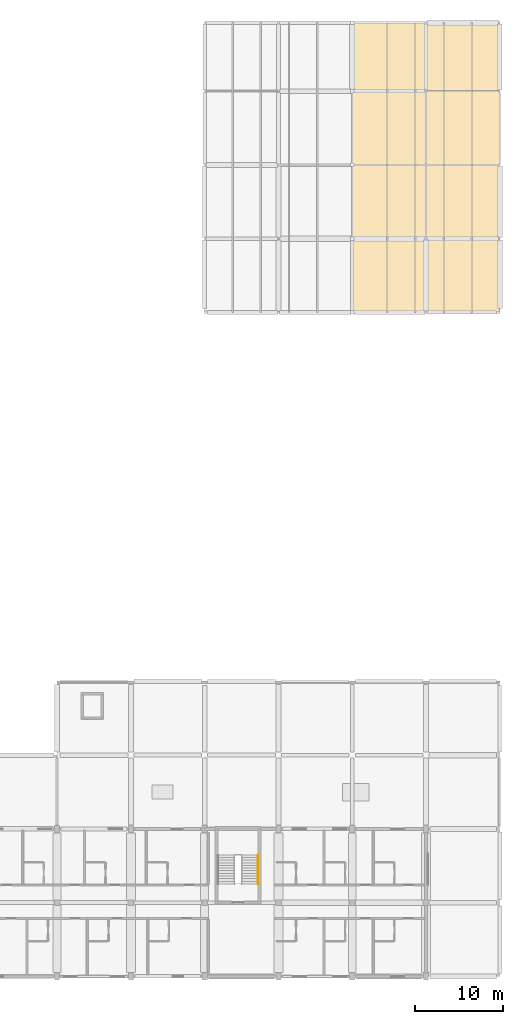
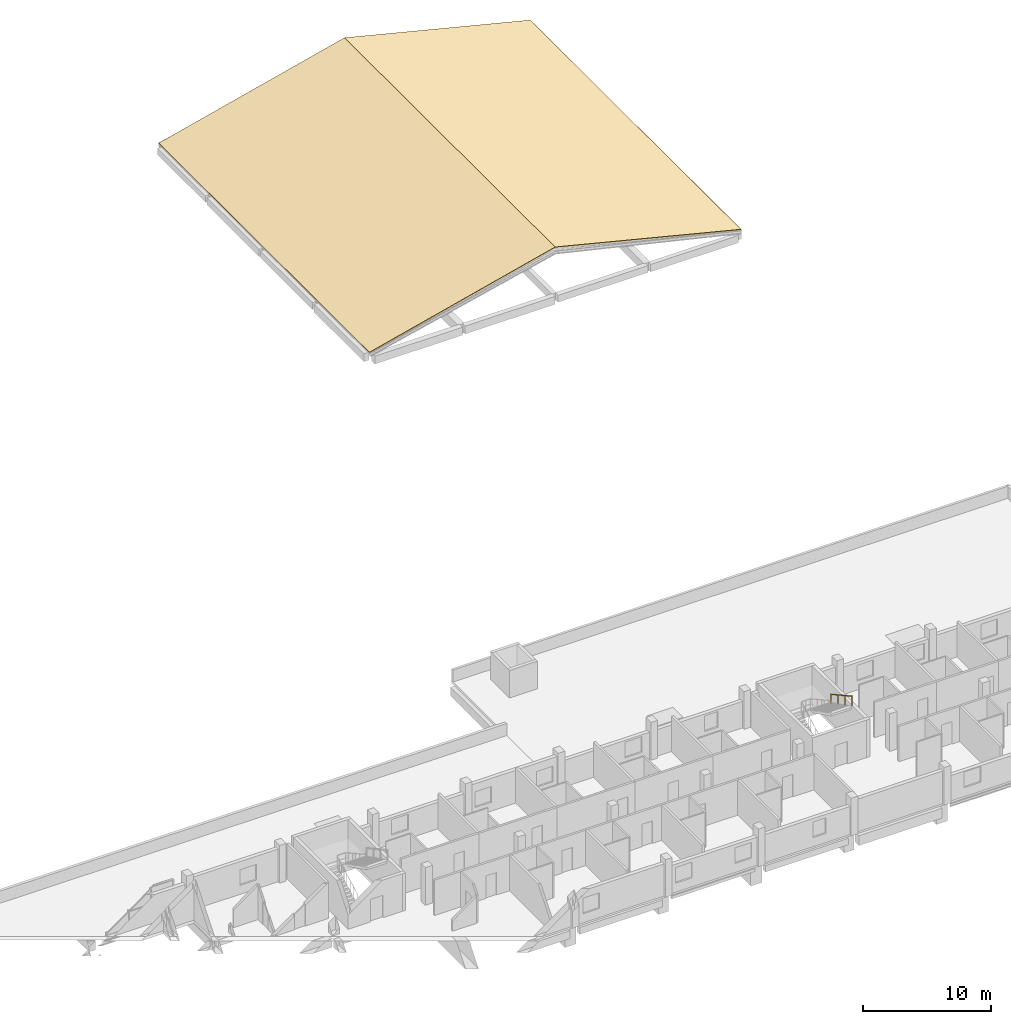
# One storey, part 42 of 42: 2 coverings, 1 railing.
"""IFC4 building model written with IfcOpenShell, lengths in metres."""

import ifcopenshell
import ifcopenshell.guid

model = None  # the IFC model being written
_history = None  # IfcOwnerHistory: only IFC2X3 demands one
_inside = {}  # id of a spatial element -> (the spatial element, [elements in it])
_under = {}  # id of a project, library or spatial element -> (it, [spatial elements below it])
_declared = {}  # id of a project -> (the project, [libraries it declares])
_typed = {}  # id of a type object -> (the type object, [elements of that type])
_made_of = {}  # id of a material, layer set ... -> (it, [elements and type objects made of it])


def new_model(schema):
    """Start an empty IFC model of exactly this schema.

    Asked for "IFC4X3", IfcOpenShell would pick the latest addendum, in which some entities
    have other attributes; the version numbers below select the first issue.
    IFC2X3 requires an IfcOwnerHistory on every rooted entity: one is made here for all.
    """
    global model, _history
    if schema == "IFC4X3":
        model = ifcopenshell.file(schema_version=(4, 3, 0, 0))
    else:
        model = ifcopenshell.file(schema=schema)
    _inside.clear()
    _under.clear()
    _declared.clear()
    _typed.clear()
    _made_of.clear()
    _history = None
    if model.schema == "IFC2X3":
        org = make("IfcOrganization", Name="unknown")
        user = make(
            "IfcPersonAndOrganization",
            ThePerson=make("IfcPerson", FamilyName="unknown"),
            TheOrganization=org,
        )
        app = make(
            "IfcApplication",
            ApplicationDeveloper=org,
            Version="unknown",
            ApplicationFullName="unknown",
            ApplicationIdentifier="unknown",
        )
        _history = make(
            "IfcOwnerHistory",
            OwningUser=user,
            OwningApplication=app,
            ChangeAction="ADDED",
            CreationDate=0,
        )
    return model


def make(cls, **values):
    """One entity of the class cls with the attributes given. An attribute that is None is left unset."""
    return model.create_entity(
        cls, **{name: value for name, value in values.items() if value is not None}
    )


def rooted(cls, **values):
    """An entity with a GlobalId (a new one), such as an element, a storey or a relation."""
    return make(cls, GlobalId=ifcopenshell.guid.new(), OwnerHistory=_history, **values)


def si_unit(unit_type, name, prefix=None):
    """IfcSIUnit, for example si_unit("LENGTHUNIT", "METRE", prefix="MILLI")."""
    return make("IfcSIUnit", UnitType=unit_type, Prefix=prefix, Name=name)


def derived_unit(unit_type, elements):
    """IfcDerivedUnit: a product of units, each with its exponent."""
    return make(
        "IfcDerivedUnit",
        Elements=[
            make("IfcDerivedUnitElement", Unit=unit, Exponent=power)
            for unit, power in elements
        ],
        UnitType=unit_type,
    )


def assignment(units):
    """IfcUnitAssignment: the units of a project."""
    return None if units is None else make("IfcUnitAssignment", Units=units)


def point(xyz):
    """IfcCartesianPoint."""
    return None if xyz is None else make("IfcCartesianPoint", Coordinates=xyz)


def direction(xyz):
    """IfcDirection."""
    return None if xyz is None else make("IfcDirection", DirectionRatios=xyz)


def frame(location, z_axis=None, x_axis=None):
    """IfcAxis2Placement3D, a coordinate frame: its origin and axes. An axis left out is left unset."""
    return make(
        "IfcAxis2Placement3D",
        Location=point(location),
        Axis=direction(z_axis),
        RefDirection=direction(x_axis),
    )


def frame_2d(location, x_axis=None):
    """IfcAxis2Placement2D, a coordinate frame in the plane: its origin and x axis."""
    return make(
        "IfcAxis2Placement2D", Location=point(location), RefDirection=direction(x_axis)
    )


def origin():
    """The frame at (0, 0, 0) with its axes left unset."""
    return frame((0.0, 0.0, 0.0))


def origin_2d():
    """The frame at (0, 0) in the plane with its x axis left unset."""
    return frame_2d((0.0, 0.0))


def place(relative_to, where):
    """IfcLocalPlacement: puts the frame where relative to a parent placement (None: the world)."""
    return make(
        "IfcLocalPlacement", PlacementRelTo=relative_to, RelativePlacement=where
    )


def context(
    kind, dimensions, precision=None, world=None, true_north=None, identifier=None
):
    """IfcGeometricRepresentationContext, for example the 3D "Model" context."""
    return make(
        "IfcGeometricRepresentationContext",
        ContextIdentifier=identifier,
        ContextType=kind,
        CoordinateSpaceDimension=dimensions,
        Precision=precision,
        WorldCoordinateSystem=world,
        TrueNorth=true_north,
    )


def subcontext(parent, identifier, kind, view, scale=None):
    """IfcGeometricRepresentationSubContext, for example "Body" below "Model"."""
    return make(
        "IfcGeometricRepresentationSubContext",
        ContextIdentifier=identifier,
        ContextType=kind,
        ParentContext=parent,
        TargetScale=scale,
        TargetView=view,
    )


def project(units=None, contexts=None):
    """IfcProject with its units and contexts."""
    return rooted(
        "IfcProject",
        Name="project",
        RepresentationContexts=contexts,
        UnitsInContext=assignment(units),
    )


def spatial(cls, under=None, at=None, **own):
    """A site, building, storey or space (cls), placed at a placement, below another one or the project."""
    s = rooted(cls, ObjectPlacement=at, **own)
    if under is not None:
        _under.setdefault(under.id(), (under, []))[1].append(s)
    return s


def polyline(points):
    """IfcPolyline through the points."""
    return make("IfcPolyline", Points=[point(p) for p in points])


def profile(cls, at=None, kind="AREA", **sizes):
    """A parametric profile (cls). Its sizes go by their IFC names, for example OverallWidth=200.0."""
    return make(cls, ProfileType=kind, Position=at, **sizes)


def circle(**sizes):
    """IfcCircleProfileDef."""
    return profile("IfcCircleProfileDef", **sizes)


def outline(outer, holes=None, kind="AREA"):
    """IfcArbitraryClosedProfileDef: a profile drawn as a closed curve; with holes, ...WithVoids."""
    if holes is None:
        return make("IfcArbitraryClosedProfileDef", ProfileType=kind, OuterCurve=outer)
    return make(
        "IfcArbitraryProfileDefWithVoids",
        ProfileType=kind,
        OuterCurve=outer,
        InnerCurves=holes,
    )


def extrude(swept, where, along, depth):
    """IfcExtrudedAreaSolid: the profile swept, set in the frame where, extruded along a direction by depth."""
    return make(
        "IfcExtrudedAreaSolid",
        SweptArea=swept,
        Position=where,
        ExtrudedDirection=direction(along),
        Depth=depth,
    )


def shape(context_of_items, identifier, shape_type, items):
    """IfcShapeRepresentation: the items that make up one representation, for example the "Body"."""
    return make(
        "IfcShapeRepresentation",
        ContextOfItems=context_of_items,
        RepresentationIdentifier=identifier,
        RepresentationType=shape_type,
        Items=items,
    )


def material(Name=None, Category=None):
    """IfcMaterial."""
    return make("IfcMaterial", Name=Name, Category=Category)


def layer(
    of_material, thickness, ventilated=None, Name=None, Category=None, Priority=None
):
    """IfcMaterialLayer: one layer of a wall or slab, of a material (None: an air gap)."""
    return make(
        "IfcMaterialLayer",
        Material=of_material,
        LayerThickness=thickness,
        IsVentilated=ventilated,
        Name=Name,
        Category=Category,
        Priority=Priority,
    )


def layer_set(layers, Name=None):
    """IfcMaterialLayerSet."""
    return make("IfcMaterialLayerSet", MaterialLayers=layers, LayerSetName=Name)


def made_of(thing, what):
    """Note that an element or type object is made of a material, layer set ...; save() writes the relation."""
    if what is not None:
        _made_of.setdefault(what.id(), (what, []))[1].append(thing)
    return thing


def type_object(cls, material=None, **own):
    """A type object (cls), such as IfcWallType, which elements share."""
    return made_of(rooted(cls, **own), material)


def element(
    cls,
    number,
    at=None,
    inside=None,
    cuts=None,
    type_object=None,
    material=None,
    context=None,
    identifier="Body",
    shape_type=None,
    held_by="IfcProductDefinitionShape",
    body=None,
    shapes=None,
    **own,
):
    """One element of the class cls, such as IfcWall. Its Tag is "e" and its number.

    at: its placement. inside: the storey or other place that contains it. cuts: it is an
    opening in that element (IfcRelVoidsElement). A single representation is given by context,
    identifier, shape_type and body (its items); several are given by shapes. held_by: the class
    of the entity that holds the representations. save() writes the other relations.
    """
    e = rooted(cls, Tag="e%d" % number, ObjectPlacement=at, **own)
    if body is not None:
        shapes = [shape(context, identifier, shape_type, body)]
    if shapes is not None:
        e.Representation = make(held_by, Representations=shapes)
    if inside is not None:
        _inside.setdefault(inside.id(), (inside, []))[1].append(e)
    if cuts is not None:
        rooted(
            "IfcRelVoidsElement", RelatingBuildingElement=cuts, RelatedOpeningElement=e
        )
    if type_object is not None:
        _typed.setdefault(type_object.id(), (type_object, []))[1].append(e)
    return made_of(e, material)


def aggregate(whole, parts):
    """IfcRelAggregates: a whole, such as a stair, and the parts it consists of."""
    return rooted("IfcRelAggregates", RelatingObject=whole, RelatedObjects=parts)


def save(model, path):
    """Write the relations noted so far, then the file.

    IfcRelAggregates (storeys below a building ...), IfcRelContainedInSpatialStructure (elements
    in a storey), IfcRelDefinesByType, IfcRelAssociatesMaterial and IfcRelDeclares: one each for
    every whole, place, type object, material and project.
    """
    for whole, parts in _under.values():
        aggregate(whole, parts)
    for where, things in _inside.values():
        rooted(
            "IfcRelContainedInSpatialStructure",
            RelatedElements=things,
            RelatingStructure=where,
        )
    for kind, things in _typed.values():
        rooted("IfcRelDefinesByType", RelatedObjects=things, RelatingType=kind)
    for what, things in _made_of.values():
        rooted("IfcRelAssociatesMaterial", RelatedObjects=things, RelatingMaterial=what)
    for by, libraries in _declared.values():
        rooted("IfcRelDeclares", RelatingContext=by, RelatedDefinitions=libraries)
    model.write(path)


model = new_model("IFC4")

# Units and contexts
model_context = context("Model", 3, precision=1e-05, world=origin(), true_north=direction((0.0, 1.0)))
body_context = subcontext(model_context, "Body", "Model", "MODEL_VIEW")
ifc_project = project(units=[si_unit("LENGTHUNIT", "METRE"), si_unit("AREAUNIT", "SQUARE_METRE"), si_unit("VOLUMEUNIT", "CUBIC_METRE"), si_unit("PLANEANGLEUNIT", "RADIAN"), si_unit("MASSUNIT", "GRAM", prefix="KILO"), derived_unit("THERMALTRANSMITTANCEUNIT", [(si_unit("POWERUNIT", "WATT"), 1), (si_unit("LENGTHUNIT", "METRE"), -2), (si_unit("THERMODYNAMICTEMPERATUREUNIT", "KELVIN"), -1)])], contexts=[model_context])

# Site, building, storey
site_placement = place(None, origin())
site = spatial("IfcSite", under=ifc_project, at=site_placement, CompositionType="ELEMENT")
building_placement = place(site_placement, origin())
building = spatial("IfcBuilding", under=site, at=building_placement, Name="Barrovel Congress Hotel", CompositionType="ELEMENT")
storey_placement = place(building_placement, frame((0.0, 0.0, 18.300048828125)))
storey = spatial("IfcBuildingStorey", under=building, at=storey_placement, Name="L04", CompositionType="ELEMENT", Elevation=18.300048828125)

# Coverings
ifc_material_1 = material(Name="Terracotta Clay Tile Finish", Category="masonry")
ifc_layer_1 = layer(ifc_material_1, 0.050048828125)
ifc_layer_set_1 = layer_set([ifc_layer_1], Name="Terracotta Clay Tile Finish")
covering_type = type_object("IfcCoveringType", Name="COV-ROOFING-TILE", PredefinedType="ROOFING", material=ifc_layer_set_1)
covering_1_placement = place(storey_placement, frame((142.800048828125, 79.800048828125, 0.050048828125), z_axis=(-0.241921791261, 0.0, 0.970295752291), x_axis=(0.970295752291, 0.0, 0.241921791261)))
element("IfcCovering", 1, at=covering_1_placement, inside=storey, type_object=covering_type, Name="COV:V3-ROOF-W", PredefinedType="ROOFING", context=body_context, shape_type="SweptSolid", body=[
    extrude(outline(polyline([(0.0, 0.0), (17.314358831795424, 0.0), (17.314358831795424, 33.0), (0.0, 33.0), (0.0, 0.0)])), origin(), (0.0, 0.0, -1.0), 0.050048828125),
])
covering_2_placement = place(storey_placement, frame((159.60009765625, 79.800048828125, 4.23876953125), z_axis=(0.241925101189, 0.0, 0.970294927027), x_axis=(0.970294927027, 0.0, -0.241925101189)))
element("IfcCovering", 2, at=covering_2_placement, inside=storey, type_object=covering_type, Name="COV:V3-ROOF-E", PredefinedType="ROOFING", context=body_context, shape_type="SweptSolid", body=[
    extrude(outline(polyline([(0.0, 0.0), (17.314121943284768, 0.0), (17.314121943284768, 33.00000000000001), (0.0, 33.00000000000001), (0.0, 0.0)])), origin(), (0.0, 0.0, -1.0), 0.050048828125),
])

# Railing
ifc_material_2 = material(Name="Brushed Stainless Steel", Category="steel")
ifc_layer_2 = layer(ifc_material_2, 0.050048828125)
ifc_layer_set_2 = layer_set([ifc_layer_2], Name="Brushed Stainless Steel")
railing_type = type_object("IfcRailingType", Name="RAIL-HAND", PredefinedType="HANDRAIL", material=ifc_layer_set_2)
railing_placement = place(storey_placement, frame((148.8798828125, 18.010009765625, 1.800048828125)))
element("IfcRailing", 3, at=railing_placement, inside=storey, type_object=railing_type, Name="STAIR:XS-04:L04:HR-2", PredefinedType="HANDRAIL", context=body_context, shape_type="SweptSolid", body=[
    extrude(circle(Radius=0.02392578125, at=origin_2d()), frame((0.0, 0.0, 0.89599609375), z_axis=(0.0, -0.87606948578, 0.482184877495), x_axis=(1.0, 0.0, 0.0)), (0.0, 0.0, 1.0), 3.732666015625),
    extrude(circle(Radius=0.02099609375, at=origin_2d()), origin(), (0.0, 0.0, 1.0), 0.871826171875),
    extrude(circle(Radius=0.02099609375, at=origin_2d()), frame((0.0, -1.090087890625, 0.599853515625)), (0.0, 0.0, 1.0), 0.871826171875),
    extrude(circle(Radius=0.02099609375, at=origin_2d()), frame((0.0, -2.179931640625, 1.199951171875)), (0.0, 0.0, 1.0), 0.871826171875),
    extrude(circle(Radius=0.02099609375, at=origin_2d()), frame((0.0, -3.27001953125, 1.7998046875)), (0.0, 0.0, 1.0), 0.871826171875),
])

save(model, "model.ifc")
